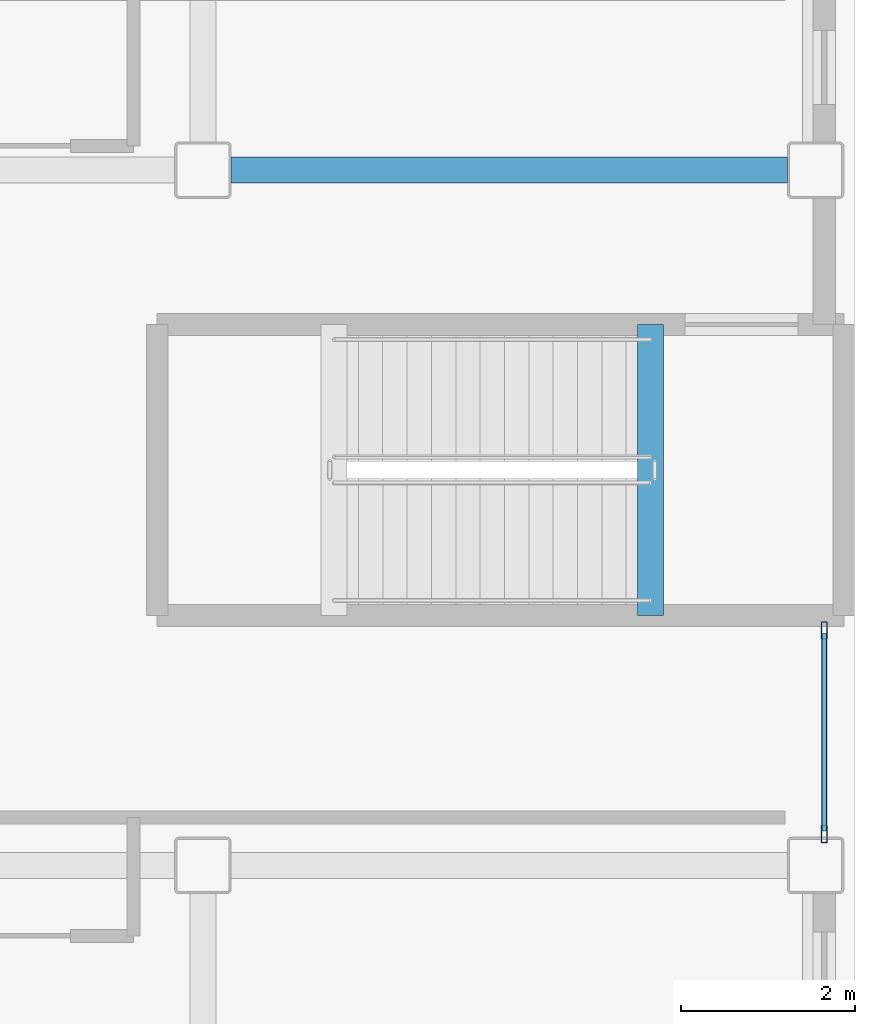
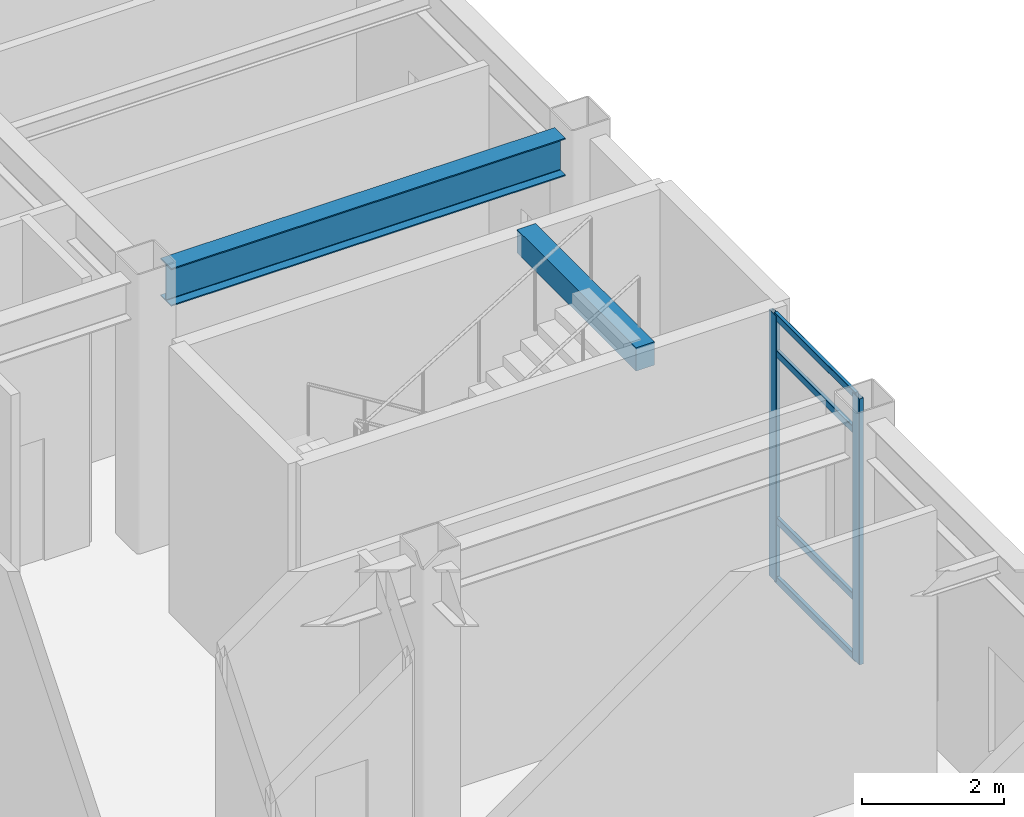
# One storey, part 23 of 61: 6 members, 2 beams, 1 element without a shape of its own.
"""IFC4 building model written with IfcOpenShell, lengths in metres."""

from ifc_helpers import new_model, si_unit, direction, frame, origin, origin_2d, place, context, subcontext, project, spatial, rectangle, hollow_rectangle, i_section, extrude, material, layer, layer_set, material_profile, profile_set, type_object, element, aggregate, save


model = new_model("IFC4")

# Units and contexts
model_context = context("Model", 3, precision=1e-05, world=origin(), true_north=direction((0.0, 1.0)))
body_context = subcontext(model_context, "Body", "Model", "MODEL_VIEW")
ifc_project = project(units=[si_unit("LENGTHUNIT", "METRE"), si_unit("AREAUNIT", "SQUARE_METRE"), si_unit("VOLUMEUNIT", "CUBIC_METRE"), si_unit("PLANEANGLEUNIT", "RADIAN"), si_unit("MASSUNIT", "GRAM", prefix="KILO")], contexts=[model_context])

# Site, building, storey
site_placement = place(None, origin())
site = spatial("IfcSite", under=ifc_project, at=site_placement, CompositionType="ELEMENT")
building_placement = place(site_placement, origin())
building = spatial("IfcBuilding", under=site, at=building_placement, Name="Kazehara Bluff Congress Hotel", CompositionType="ELEMENT")
storey_placement = place(building_placement, frame((0.0, 0.0, 19.800048828125)))
storey = spatial("IfcBuildingStorey", under=building, at=storey_placement, Name="L04", CompositionType="ELEMENT", Elevation=19.800048828125)

# Curtain wall, members
ifc_material_1 = material(Name="Anodised aluminium", Category="aluminium")
ifc_layer = layer(ifc_material_1, 0.159912109375)
ifc_layer_set = layer_set([ifc_layer], Name="Anodised aluminium")
curtain_wall_type = type_object("IfcCurtainWallType", Name="TP-CW-160", PredefinedType="NOTDEFINED", material=ifc_layer_set)
curtain_wall_placement = place(storey_placement, origin())
curtain_wall = element("IfcCurtainWall", 1, at=curtain_wall_placement, inside=storey, type_object=curtain_wall_type, Name="L04 curtain wall CW-160 CW-ENC-V5-L04-16765-1753", PredefinedType="NOTDEFINED")
ifc_material_2 = material(Name="Anodised aluminium", Category="aluminium")
ifc_material_profile_1 = material_profile(ifc_material_2, hollow_rectangle(XDim=0.070068359375, YDim=0.199951171875, WallThickness=0.0048828125, InnerFilletRadius=0.0048828125, OuterFilletRadius=0.010009765625, at=origin_2d()))
ifc_profile_set_1 = profile_set([ifc_material_profile_1], Name="Anodised aluminium")
member_type_1 = type_object("IfcMemberType", Name="TP-CWM-03", PredefinedType="MULLION", material=ifc_profile_set_1)
member_1_placement = place(storey_placement, frame((167.64990234375, 18.705078125, 0.0), z_axis=(0.0, 0.0, 1.0), x_axis=(1.0, 0.0, 0.0)))
member_1 = element("IfcMember", 2, at=member_1_placement, type_object=member_type_1, Name="CW-160 mullion 1", PredefinedType="MULLION", context=body_context, shape_type="SweptSolid", body=[
    extrude(hollow_rectangle(XDim=0.070068359375, YDim=0.199951171875, WallThickness=0.0048828125, InnerFilletRadius=0.0048828125, OuterFilletRadius=0.010009765625, at=origin_2d()), origin(), (0.0, 0.0, 1.0), 4.56494140625),
])
member_2_placement = place(storey_placement, frame((167.64990234375, 16.360107421875, 0.0), z_axis=(0.0, 0.0, 1.0), x_axis=(1.0, 0.0, 0.0)))
member_2 = element("IfcMember", 3, at=member_2_placement, type_object=member_type_1, Name="CW-160 mullion 2", PredefinedType="MULLION", context=body_context, shape_type="SweptSolid", body=[
    extrude(hollow_rectangle(XDim=0.070068359375, YDim=0.199951171875, WallThickness=0.0048828125, InnerFilletRadius=0.0048828125, OuterFilletRadius=0.010009765625, at=origin_2d()), origin(), (0.0, 0.0, 1.0), 4.56494140625),
])
ifc_material_3 = material(Name="Anodised aluminium", Category="aluminium")
ifc_material_profile_2 = material_profile(ifc_material_3, hollow_rectangle(XDim=0.06005859375, YDim=0.1201171875, WallThickness=0.00390625, InnerFilletRadius=0.00390625, OuterFilletRadius=0.008056640625, at=origin_2d()))
ifc_profile_set_2 = profile_set([ifc_material_profile_2], Name="Anodised aluminium")
member_type_2 = type_object("IfcMemberType", Name="TP-CWT-01", PredefinedType="USERDEFINED", material=ifc_profile_set_2)
member_3_placement = place(storey_placement, frame((167.64990234375, 18.669921875, 0.030029296875), z_axis=(0.0, -1.0, 0.0), x_axis=(1.0, 0.0, 0.0)))
member_3 = element("IfcMember", 4, at=member_3_placement, type_object=member_type_2, Name="CW-160 transom 1.1", ObjectType="TRANSOM", PredefinedType="USERDEFINED", context=body_context, shape_type="SweptSolid", body=[
    extrude(hollow_rectangle(XDim=0.06005859375, YDim=0.1201171875, WallThickness=0.00390625, InnerFilletRadius=0.00390625, OuterFilletRadius=0.008056640625, at=origin_2d()), origin(), (0.0, 0.0, 1.0), 2.27490234375),
])
member_4_placement = place(storey_placement, frame((167.64990234375, 18.669921875, 1.050048828125), z_axis=(0.0, -1.0, 0.0), x_axis=(1.0, 0.0, 0.0)))
member_4 = element("IfcMember", 5, at=member_4_placement, type_object=member_type_2, Name="CW-160 transom 1.2", ObjectType="TRANSOM", PredefinedType="USERDEFINED", context=body_context, shape_type="SweptSolid", body=[
    extrude(hollow_rectangle(XDim=0.06005859375, YDim=0.1201171875, WallThickness=0.00390625, InnerFilletRadius=0.00390625, OuterFilletRadius=0.008056640625, at=origin_2d()), origin(), (0.0, 0.0, 1.0), 2.27490234375),
])
member_5_placement = place(storey_placement, frame((167.64990234375, 18.669921875, 3.9150390625), z_axis=(0.0, -1.0, 0.0), x_axis=(1.0, 0.0, 0.0)))
member_5 = element("IfcMember", 6, at=member_5_placement, type_object=member_type_2, Name="CW-160 transom 1.3", ObjectType="TRANSOM", PredefinedType="USERDEFINED", context=body_context, shape_type="SweptSolid", body=[
    extrude(hollow_rectangle(XDim=0.06005859375, YDim=0.1201171875, WallThickness=0.00390625, InnerFilletRadius=0.00390625, OuterFilletRadius=0.008056640625, at=origin_2d()), origin(), (0.0, 0.0, 1.0), 2.27490234375),
])
member_6_placement = place(storey_placement, frame((167.64990234375, 18.669921875, 4.534912109375), z_axis=(0.0, -1.0, 0.0), x_axis=(1.0, 0.0, 0.0)))
member_6 = element("IfcMember", 7, at=member_6_placement, type_object=member_type_2, Name="CW-160 transom 1.4", ObjectType="TRANSOM", PredefinedType="USERDEFINED", context=body_context, shape_type="SweptSolid", body=[
    extrude(hollow_rectangle(XDim=0.06005859375, YDim=0.1201171875, WallThickness=0.00390625, InnerFilletRadius=0.00390625, OuterFilletRadius=0.008056640625, at=origin_2d()), origin(), (0.0, 0.0, 1.0), 2.27490234375),
])
aggregate(curtain_wall, [member_1, member_2, member_3, member_4, member_5, member_6])

# Beams
ifc_material_4 = material(Name="Steel SN490B", Category="steel")
ifc_material_profile_3 = material_profile(ifc_material_4, i_section(OverallWidth=0.300048828125, OverallDepth=0.64990234375, WebThickness=0.011962890625, FlangeThickness=0.02001953125, FilletRadius=0.012939453125, at=origin_2d()))
ifc_profile_set_3 = profile_set([ifc_material_profile_3], Name="Steel SN490B")
beam_type_1 = type_object("IfcBeamType", Name="TP-G-03", PredefinedType="BEAM", material=ifc_profile_set_3)
beam_1_placement = place(storey_placement, frame((160.824951171875, 24.0, 4.2548828125), z_axis=(1.0, 0.0, 0.0), x_axis=(0.0, 1.0, 0.0)))
element("IfcBeam", 8, at=beam_1_placement, inside=storey, type_object=beam_type_1, Name="L04 girder G-03 89", PredefinedType="BEAM", context=body_context, shape_type="SweptSolid", body=[
    extrude(i_section(OverallWidth=0.300048828125, OverallDepth=0.64990234375, WebThickness=0.011962890625, FlangeThickness=0.02001953125, FilletRadius=0.012939453125, at=origin_2d()), origin(), (0.0, 0.0, 1.0), 6.400146484375),
])
ifc_material_5 = material(Name="Concrete C40/50", Category="concrete")
ifc_material_profile_4 = material_profile(ifc_material_5, rectangle(XDim=0.300048828125, YDim=0.39990234375, at=origin_2d()))
ifc_profile_set_4 = profile_set([ifc_material_profile_4], Name="Concrete C40/50")
beam_type_2 = type_object("IfcBeamType", Name="TP-LN-02", PredefinedType="LINTEL", material=ifc_profile_set_4)
beam_2_placement = place(storey_placement, frame((165.64990234375, 22.22509765625, 4.39990234375), z_axis=(0.0, -1.0, 0.0), x_axis=(1.0, 0.0, 0.0)))
element("IfcBeam", 9, at=beam_2_placement, inside=storey, type_object=beam_type_2, Name="L05 ST-10 stairwell trimmer beam", PredefinedType="LINTEL", context=body_context, shape_type="SweptSolid", body=[
    extrude(rectangle(XDim=0.300048828125, YDim=0.39990234375, at=origin_2d()), origin(), (0.0, 0.0, 1.0), 3.35009765625),
])

save(model, "model.ifc")
